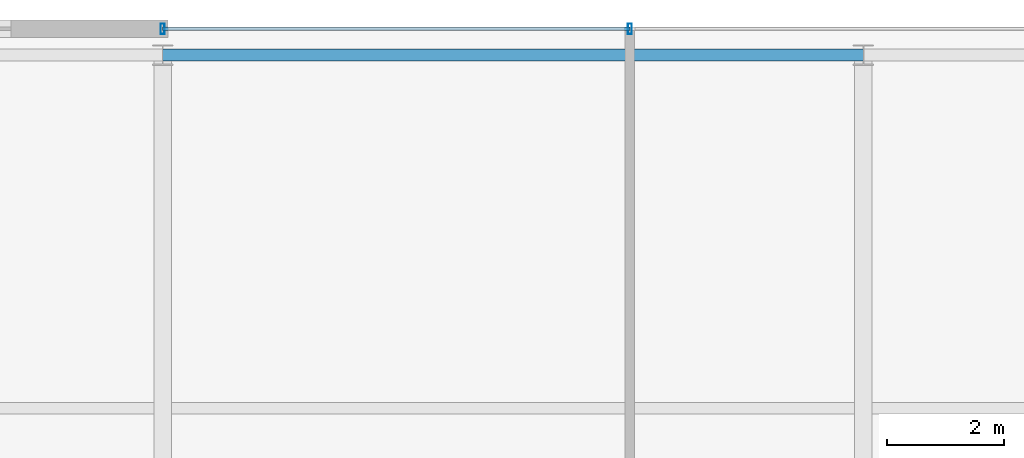
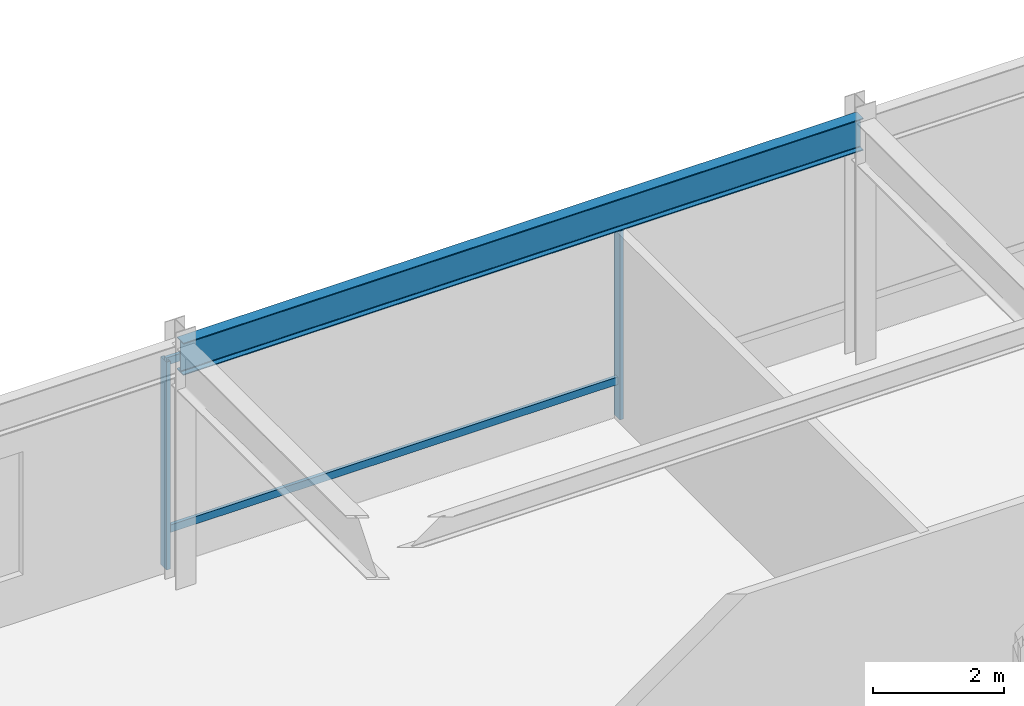
# One storey, part 14 of 26: 4 members, 1 beam, 1 element without a shape of its own.
"""IFC4 building model written with IfcOpenShell, lengths in metres."""

from ifc_helpers import new_model, si_unit, direction, frame, origin, origin_2d, place, context, subcontext, project, spatial, hollow_rectangle, i_section, extrude, material, layer, layer_set, material_profile, profile_set, type_object, element, aggregate, save


model = new_model("IFC4")

# Units and contexts
model_context = context("Model", 3, precision=1e-05, world=origin(), true_north=direction((0.0, 1.0)))
body_context = subcontext(model_context, "Body", "Model", "MODEL_VIEW")
ifc_project = project(units=[si_unit("LENGTHUNIT", "METRE"), si_unit("AREAUNIT", "SQUARE_METRE"), si_unit("VOLUMEUNIT", "CUBIC_METRE"), si_unit("PLANEANGLEUNIT", "RADIAN"), si_unit("MASSUNIT", "GRAM", prefix="KILO")], contexts=[model_context])

# Site, building, storey
site_placement = place(None, origin())
site = spatial("IfcSite", under=ifc_project, at=site_placement, CompositionType="ELEMENT")
building_placement = place(site_placement, origin())
building = spatial("IfcBuilding", under=site, at=building_placement, Name="Veldorina Hangang Commons", CompositionType="ELEMENT")
storey_placement = place(building_placement, frame((0.0, 0.0, 10.0)))
storey = spatial("IfcBuildingStorey", under=building, at=storey_placement, Name="L02", CompositionType="ELEMENT", Elevation=10.0)

# Beam
ifc_material_1 = material(Name="Steel SM420-TMC", Category="steel")
ifc_material_profile_1 = material_profile(ifc_material_1, i_section(OverallWidth=0.199951171875, OverallDepth=0.60009765625, WebThickness=0.010986328125, FlangeThickness=0.01708984375, FilletRadius=0.01806640625, at=origin_2d()), Name="H-600x200x11x17")
ifc_profile_set_1 = profile_set([ifc_material_profile_1], Name="Steel SM420-TMC")
beam_type = type_object("IfcBeamType", Name="BM-SPN600", PredefinedType="SPANDREL", material=ifc_profile_set_1)
beam_placement = place(storey_placement, frame((20.0, 44.550048828125, 4.199951171875), z_axis=(1.0, 0.0, 0.0), x_axis=(0.0, 1.0, 0.0)))
element("IfcBeam", 1, at=beam_placement, inside=storey, type_object=beam_type, Name="L02 north spandrel beam 3", PredefinedType="SPANDREL", context=body_context, shape_type="SweptSolid", body=[
    extrude(i_section(OverallWidth=0.199951171875, OverallDepth=0.60009765625, WebThickness=0.010986328125, FlangeThickness=0.01708984375, FilletRadius=0.01806640625, at=origin_2d()), origin(), (0.0, 0.0, 1.0), 12.0),
])

# Curtain wall, members
ifc_material_2 = material(Name="Glass Low-E Triple IGU", Category="glass")
ifc_layer = layer(ifc_material_2, 0.179931640625)
ifc_layer_set = layer_set([ifc_layer], Name="Glass Low-E Triple IGU")
curtain_wall_type = type_object("IfcCurtainWallType", Name="CW-SYS-POD", PredefinedType="NOTDEFINED", material=ifc_layer_set)
curtain_wall_placement = place(storey_placement, origin())
curtain_wall = element("IfcCurtainWall", 2, at=curtain_wall_placement, inside=storey, type_object=curtain_wall_type, Name="L02 unitised curtain wall CW-L02-N-CTR", PredefinedType="NOTDEFINED")
ifc_material_3 = material(Name="Aluminium Anodized AA6063-T6", Category="aluminium")
ifc_material_profile_2 = material_profile(ifc_material_3, hollow_rectangle(XDim=0.070068359375, YDim=0.179931640625, WallThickness=0.00390625, at=origin_2d()), Name="ALU-RHS-180x70x4")
ifc_profile_set_2 = profile_set([ifc_material_profile_2], Name="Aluminium Anodized AA6063-T6")
member_type_1 = type_object("IfcMemberType", Name="CW-MUL-180", PredefinedType="MULLION", material=ifc_profile_set_2)
member_1_placement = place(storey_placement, frame((28.0, 45.0, 0.0), z_axis=(0.0, 0.0, 1.0), x_axis=(-1.0, 0.0, 0.0)))
member_1 = element("IfcMember", 3, at=member_1_placement, type_object=member_type_1, Name="CW-L02-N-CTR vertical mullion 2", PredefinedType="MULLION", context=body_context, shape_type="SweptSolid", body=[
    extrude(hollow_rectangle(XDim=0.070068359375, YDim=0.179931640625, WallThickness=0.00390625, at=origin_2d()), origin(), (0.0, 0.0, 1.0), 3.8798828125),
])
member_2_placement = place(storey_placement, frame((20.0, 45.0, 0.0), z_axis=(0.0, 0.0, 1.0), x_axis=(1.0, 0.0, 0.0)))
member_2 = element("IfcMember", 4, at=member_2_placement, type_object=member_type_1, Name="CW-L02-N-CTR vertical mullion 3", PredefinedType="MULLION", context=body_context, shape_type="SweptSolid", body=[
    extrude(hollow_rectangle(XDim=0.070068359375, YDim=0.179931640625, WallThickness=0.00390625, at=origin_2d()), origin(), (0.0, 0.0, 1.0), 3.8798828125),
])
ifc_material_profile_3 = material_profile(ifc_material_3, hollow_rectangle(XDim=0.06005859375, YDim=0.139892578125, WallThickness=0.00341796875, at=origin_2d()), Name="ALU-RHS-140x60x3.5")
ifc_profile_set_3 = profile_set([ifc_material_profile_3], Name="Aluminium Anodized AA6063-T6")
member_type_2 = type_object("IfcMemberType", Name="CW-TRN-140", PredefinedType="USERDEFINED", material=ifc_profile_set_3)
member_3_placement = place(storey_placement, frame((28.0, 45.0, 0.699951171875), z_axis=(-1.0, 0.0, 0.0), x_axis=(0.0, -1.0, 0.0)))
member_3 = element("IfcMember", 5, at=member_3_placement, type_object=member_type_2, Name="CW-L02-N-CTR facet 3 transom 1", ObjectType="TRANSOM", PredefinedType="USERDEFINED", context=body_context, shape_type="SweptSolid", body=[
    extrude(hollow_rectangle(XDim=0.06005859375, YDim=0.139892578125, WallThickness=0.00341796875, at=origin_2d()), origin(), (0.0, 0.0, 1.0), 8.0),
])
member_4_placement = place(storey_placement, frame((28.0, 45.0, 3.840087890625), z_axis=(-1.0, 0.0, 0.0), x_axis=(0.0, -1.0, 0.0)))
member_4 = element("IfcMember", 6, at=member_4_placement, type_object=member_type_2, Name="CW-L02-N-CTR facet 3 transom 2", ObjectType="TRANSOM", PredefinedType="USERDEFINED", context=body_context, shape_type="SweptSolid", body=[
    extrude(hollow_rectangle(XDim=0.06005859375, YDim=0.139892578125, WallThickness=0.00341796875, at=origin_2d()), origin(), (0.0, 0.0, 1.0), 8.0),
])
aggregate(curtain_wall, [member_1, member_2, member_3, member_4])

save(model, "model.ifc")
